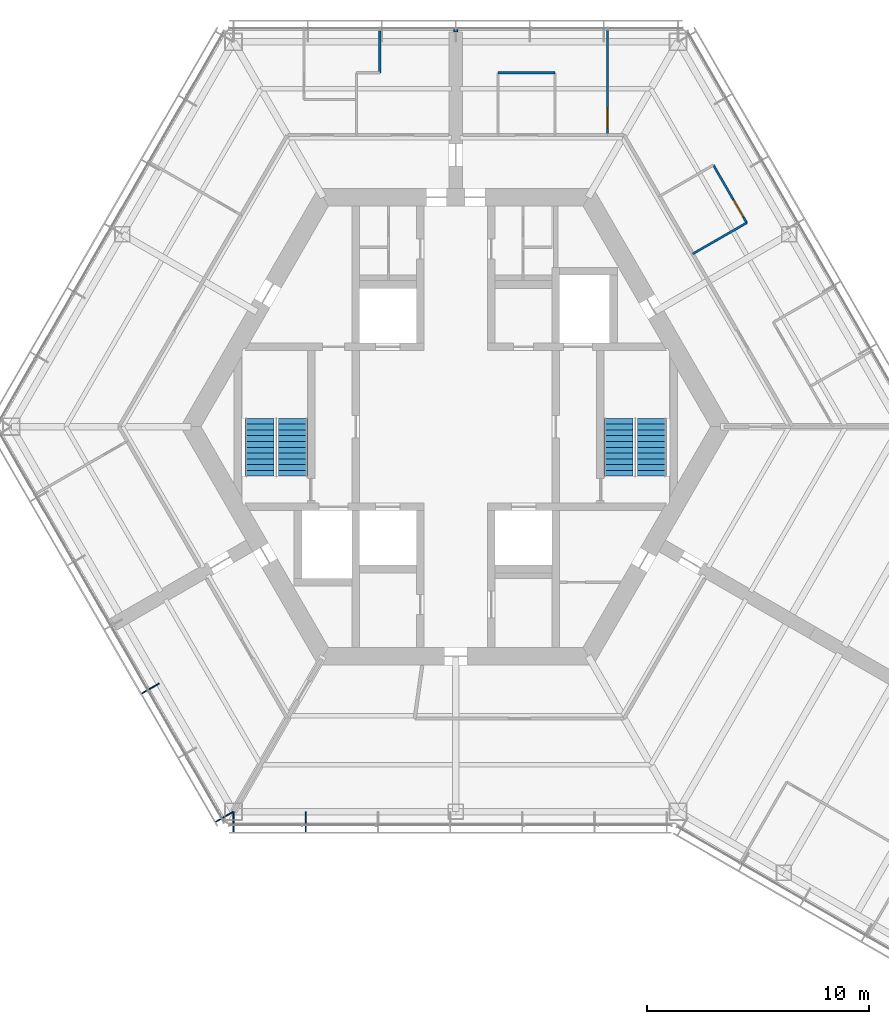
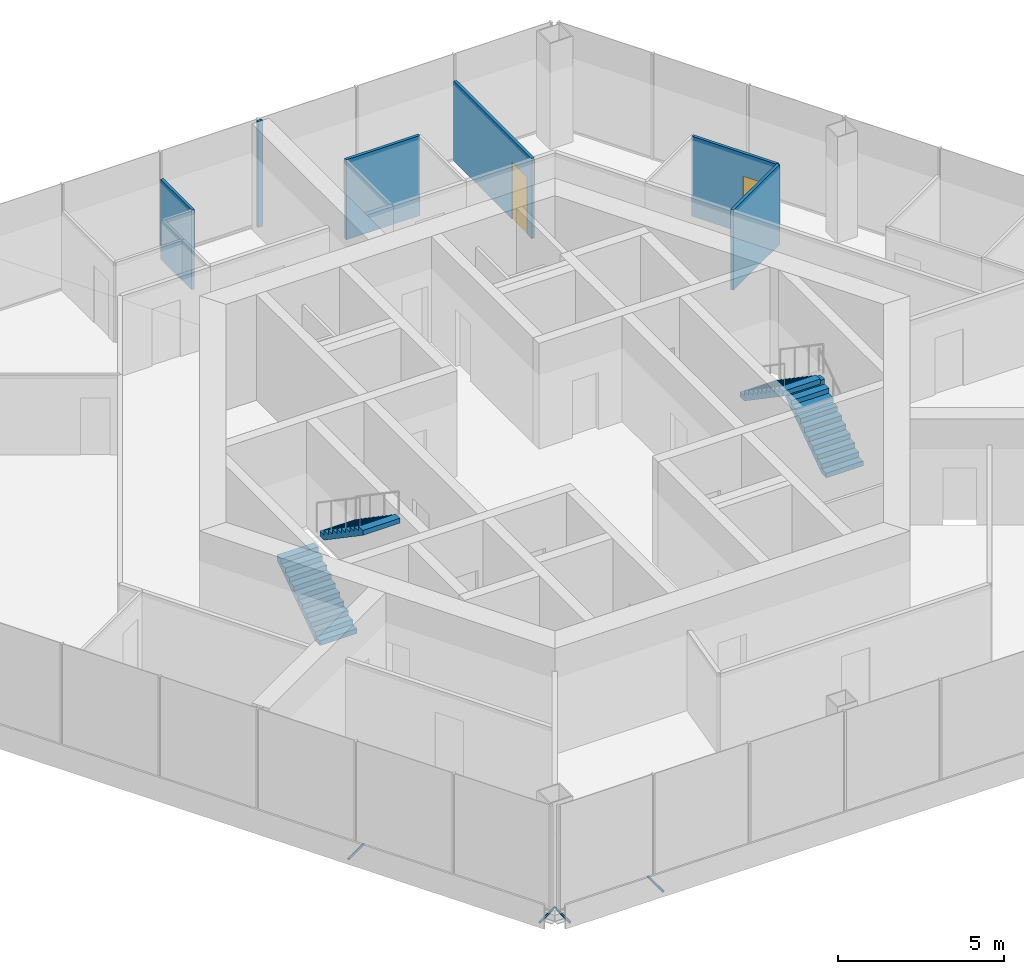
# One storey, part 13 of 15: 6 walls, 4 discrete accessories, 4 stair flights, 2 doors, 2 openings, 2 elements without a shape of their own.
"""IFC4 building model written with IfcOpenShell, lengths in metres."""

from ifc_helpers import new_model, si_unit, direction, frame, frame_2d, origin, origin_2d, place, context, subcontext, project, spatial, polyline, rectangle, hollow_circle, outline, extrude, material, layer, layer_set, material_profile, profile_set, type_object, element, fill, aggregate, save


model = new_model("IFC4")

# Units and contexts
model_context = context("Model", 3, precision=1e-05, world=origin(), true_north=direction((0.0, 1.0)))
body_context = subcontext(model_context, "Body", "Model", "MODEL_VIEW")
ifc_project = project(units=[si_unit("LENGTHUNIT", "METRE"), si_unit("AREAUNIT", "SQUARE_METRE"), si_unit("VOLUMEUNIT", "CUBIC_METRE"), si_unit("PLANEANGLEUNIT", "RADIAN"), si_unit("MASSUNIT", "GRAM", prefix="KILO")], contexts=[model_context])

# Site, building, storey
site_placement = place(None, origin())
site = spatial("IfcSite", under=ifc_project, at=site_placement, CompositionType="ELEMENT")
building_placement = place(site_placement, origin())
building = spatial("IfcBuilding", under=site, at=building_placement, Name="Kasaneha Research Tower", CompositionType="ELEMENT")
storey_placement = place(building_placement, frame((0.0, 0.0, 220.60009765625)))
storey = spatial("IfcBuildingStorey", under=building, at=storey_placement, Name="L55", CompositionType="ELEMENT", Elevation=220.60009765625)

# Wall
ifc_material_1 = material(Name="Gypsum board on steel studs, one layer each side", Category="steel")
ifc_layer_1 = layer(ifc_material_1, 0.10009765625)
ifc_layer_set_1 = layer_set([ifc_layer_1], Name="Office partition 100")
wall_type_1 = type_object("IfcWallType", Name="Office partition 100", PredefinedType="PARTITIONING", material=ifc_layer_set_1)
wall_1_placement = place(storey_placement, frame((1.89990234375, 15.925048828125, 0.0), z_axis=(0.0, 0.0, 1.0), x_axis=(1.0, 0.0, 0.0)))
element("IfcWall", 1, at=wall_1_placement, inside=storey, type_object=wall_type_1, Name="Office partition FAE08 L55", PredefinedType="PARTITIONING", context=body_context, shape_type="SweptSolid", body=[
    extrude(rectangle(XDim=2.565185546875, YDim=0.10009765625, at=frame_2d((1.28271484375, 0.0))), origin(), (0.0, 0.0, 1.0), 2.949951171875),
])

# Wall, opening, door
wall_2_placement = place(storey_placement, frame((11.591552734375, 11.77294921875, 0.0), z_axis=(0.0, 0.0, 1.0), x_axis=(0.499990139034, -0.866031096941, 0.0)))
wall_2 = element("IfcWall", 2, at=wall_2_placement, inside=storey, type_object=wall_type_1, Name="Office partition FAE12 L55", PredefinedType="PARTITIONING", context=body_context, shape_type="SweptSolid", body=[
    extrude(rectangle(XDim=3.0, YDim=0.10009765625, at=frame_2d((1.5, 0.0))), origin(), (0.0, 0.0, 1.0), 2.949951171875),
])
opening_1_placement = place(wall_2_placement, frame((1.800048828125, 0.0, 0.0)))
opening_1 = element("IfcOpeningElement", 3, at=opening_1_placement, cuts=wall_2, Name="Opening L55-D30", PredefinedType="OPENING", context=body_context, shape_type="SweptSolid", body=[
    extrude(rectangle(XDim=0.89990234375, YDim=2.10009765625, at=frame_2d((0.449951171875, 1.050048828125))), frame((0.0, 0.06005859375, 0.0), z_axis=(0.0, -1.0, 0.0), x_axis=(1.0, 0.0, 0.0)), (0.0, 0.0, 1.0), 0.1201171875),
])
ifc_material_2 = material(Name="Timber veneer", Category="wood")
door_type = type_object("IfcDoorType", Name="Office door 900x2100", OperationType="SINGLE_SWING_LEFT", PredefinedType="DOOR", material=ifc_material_2)
door_1_placement = place(opening_1_placement, origin())
door_1 = element("IfcDoor", 4, at=door_1_placement, inside=storey, type_object=door_type, Name="Pantry door L55-D30", OperationType="SINGLE_SWING_RIGHT", OverallHeight=2.10009765625, OverallWidth=0.89990234375, PredefinedType="DOOR", context=body_context, shape_type="SweptSolid", body=[
    extrude(rectangle(XDim=0.89990234375, YDim=2.10009765625, at=frame_2d((0.449951171875, 1.050048828125))), frame((0.0, 0.02490234375, 0.0), z_axis=(0.0, -1.0, 0.0), x_axis=(1.0, 0.0, 0.0)), (0.0, 0.0, 1.0), 0.050048828125),
])
fill(opening_1, door_1)

# Wall
wall_3_placement = place(storey_placement, frame((13.091552734375, 9.1748046875, 0.0), z_axis=(0.0, 0.0, 1.0), x_axis=(-0.866855433567, -0.498559582492, 0.0)))
element("IfcWall", 5, at=wall_3_placement, inside=storey, type_object=wall_type_1, Name="Office partition FAE13 L55", PredefinedType="PARTITIONING", context=body_context, shape_type="SweptSolid", body=[
    extrude(rectangle(XDim=2.800048828125, YDim=0.10009765625, at=frame_2d((1.39990234375, 0.0))), origin(), (0.0, 0.0, 1.0), 2.949951171875),
])

# Wall, opening, door
wall_4_placement = place(storey_placement, frame((6.8310546875, 17.85546875, 0.0), z_axis=(0.0, 0.0, 1.0), x_axis=(-0.000980594079, -0.999999519218, 0.0)))
wall_4 = element("IfcWall", 6, at=wall_4_placement, inside=storey, type_object=wall_type_1, Name="Office partition FAE14 L55", PredefinedType="PARTITIONING", context=body_context, shape_type="SweptSolid", body=[
    extrude(rectangle(XDim=4.73046875, YDim=0.10009765625, at=frame_2d((2.365234375, 0.0))), origin(), (0.0, 0.0, 1.0), 2.949951171875),
])
opening_2_placement = place(wall_4_placement, frame((3.530517578125, 0.0, 0.0)))
opening_2 = element("IfcOpeningElement", 7, at=opening_2_placement, cuts=wall_4, Name="Opening L55-D31", PredefinedType="OPENING", context=body_context, shape_type="SweptSolid", body=[
    extrude(rectangle(XDim=0.89990234375, YDim=2.10009765625, at=frame_2d((0.449951171875, 1.050048828125))), frame((0.0, 0.06005859375, 0.0), z_axis=(0.0, -1.0, 0.0), x_axis=(1.0, 0.0, 0.0)), (0.0, 0.0, 1.0), 0.1201171875),
])
door_2_placement = place(opening_2_placement, origin())
door_2 = element("IfcDoor", 8, at=door_2_placement, inside=storey, type_object=door_type, Name="Project room door L55-D31", OperationType="SINGLE_SWING_RIGHT", OverallHeight=2.10009765625, OverallWidth=0.89990234375, PredefinedType="DOOR", context=body_context, shape_type="SweptSolid", body=[
    extrude(rectangle(XDim=0.89990234375, YDim=2.10009765625, at=frame_2d((0.449951171875, 1.050048828125))), frame((0.0, 0.02490234375, 0.0), z_axis=(0.0, -1.0, 0.0), x_axis=(1.0, 0.0, 0.0)), (0.0, 0.0, 1.0), 0.050048828125),
])
fill(opening_2, door_2)

# Walls
wall_5_placement = place(storey_placement, frame((-3.4150390625, 15.925048828125, 0.0), z_axis=(0.0, 0.0, 1.0), x_axis=(-0.000130174433, 0.999999991527, 0.0)))
element("IfcWall", 9, at=wall_5_placement, inside=storey, type_object=wall_type_1, Name="Office partition FAW05 L55", PredefinedType="PARTITIONING", context=body_context, shape_type="SweptSolid", body=[
    extrude(rectangle(XDim=1.87548828125, YDim=0.10009765625, at=frame_2d((0.937744140625, 0.0))), origin(), (0.0, 0.0, 1.0), 2.949951171875),
])
ifc_material_3 = material(Name="Gypsum board on steel studs, two layers each side", Category="steel")
ifc_layer_2 = layer(ifc_material_3, 0.175048828125)
ifc_layer_set_2 = layer_set([ifc_layer_2], Name="Tenancy fire partition 175")
wall_type_2 = type_object("IfcWallType", Name="Tenancy fire partition 175", PredefinedType="PARTITIONING", material=ifc_layer_set_2)
wall_6_placement = place(storey_placement, frame((0.0, 17.7705078125, 0.0), z_axis=(0.0, 0.0, 1.0), x_axis=(0.0, 1.0, 0.0)))
element("IfcWall", 10, at=wall_6_placement, inside=storey, type_object=wall_type_2, Name="Spine wall closer SW4-600 L55", PredefinedType="PARTITIONING", context=body_context, shape_type="SweptSolid", body=[
    extrude(rectangle(XDim=0.0849609375, YDim=0.175048828125, at=frame_2d((0.04248046875, 0.0))), origin(), (0.0, 0.0, 1.0), 3.89990234375),
])

# Stair, stair flights
ifc_material_4 = material(Name="Concrete Fc24", Category="concrete")
stair_type = type_object("IfcStairType", Name="Half-turn stair 22 risers", PredefinedType="HALF_TURN_STAIR", material=ifc_material_4)
stair_1_placement = place(storey_placement, origin())
stair_1 = element("IfcStair", 11, at=stair_1_placement, inside=storey, type_object=stair_type, Name="Stair 1 L55", PredefinedType="HALF_TURN_STAIR")
ifc_material_5 = material(Name="Concrete Fc24", Category="concrete")
stair_flight_type = type_object("IfcStairFlightType", Name="Stair flight 11 risers 177.3", PredefinedType="STRAIGHT", material=ifc_material_5)
stair_flight_1_placement = place(storey_placement, frame((8.824951171875, -2.22509765625, 0.0), z_axis=(0.0, 0.0, 1.0), x_axis=(0.0, 1.0, 0.0)))
stair_flight_1 = element("IfcStairFlight", 12, at=stair_flight_1_placement, type_object=stair_flight_type, Name="ST1-22R flight 1", NumberOfRisers=11, NumberOfTreads=10, PredefinedType="STRAIGHT", RiserHeight=0.177272727, TreadLength=0.26, context=body_context, shape_type="SweptSolid", body=[
    extrude(outline(polyline([(0.0, 0.0), (0.0, 0.17724609375), (0.260009765625, 0.17724609375), (0.260009765625, 0.3544921875), (0.52001953125, 0.3544921875), (0.52001953125, 0.53173828125), (0.780029296875, 0.53173828125), (0.780029296875, 0.708984375), (1.0400390625, 0.708984375), (1.0400390625, 0.886474609375), (1.300048828125, 0.886474609375), (1.300048828125, 1.063720703125), (1.56005859375, 1.063720703125), (1.56005859375, 1.240966796875), (1.820068359375, 1.240966796875), (1.820068359375, 1.418212890625), (2.080078125, 1.418212890625), (2.080078125, 1.595458984375), (2.340087890625, 1.595458984375), (2.340087890625, 1.772705078125), (2.60009765625, 1.772705078125), (2.60009765625, 1.949951171875), (2.60009765625, 1.59130859375), (0.26611328125, 0.0), (0.0, 0.0)])), frame((0.0, 0.64990234375, 0.0), z_axis=(0.0, -1.0, 0.0), x_axis=(1.0, 0.0, 0.0)), (0.0, 0.0, 1.0), 1.300048828125),
])
stair_flight_2_placement = place(storey_placement, frame((7.324951171875, 0.375, 1.949951171875), z_axis=(0.0, 0.0, 1.0), x_axis=(0.0, -1.0, 0.0)))
stair_flight_2 = element("IfcStairFlight", 13, at=stair_flight_2_placement, type_object=stair_flight_type, Name="ST1-22R flight 2", NumberOfRisers=11, NumberOfTreads=10, PredefinedType="STRAIGHT", RiserHeight=0.177272727, TreadLength=0.26, context=body_context, shape_type="SweptSolid", body=[
    extrude(outline(polyline([(0.0, 0.0), (0.0, 0.17724609375), (0.260009765625, 0.17724609375), (0.260009765625, 0.3544921875), (0.52001953125, 0.3544921875), (0.52001953125, 0.53173828125), (0.780029296875, 0.53173828125), (0.780029296875, 0.708984375), (1.0400390625, 0.708984375), (1.0400390625, 0.886474609375), (1.300048828125, 0.886474609375), (1.300048828125, 1.063720703125), (1.56005859375, 1.063720703125), (1.56005859375, 1.240966796875), (1.820068359375, 1.240966796875), (1.820068359375, 1.418212890625), (2.080078125, 1.418212890625), (2.080078125, 1.595458984375), (2.340087890625, 1.595458984375), (2.340087890625, 1.772705078125), (2.60009765625, 1.772705078125), (2.60009765625, 1.949951171875), (2.60009765625, 1.59130859375), (0.26611328125, 0.0), (0.0, 0.0)])), frame((0.0, 0.64990234375, 0.0), z_axis=(0.0, -1.0, 0.0), x_axis=(1.0, 0.0, 0.0)), (0.0, 0.0, 1.0), 1.300048828125),
])
aggregate(stair_1, [stair_flight_1, stair_flight_2])

stair_2_placement = place(storey_placement, origin())
stair_2 = element("IfcStair", 14, at=stair_2_placement, inside=storey, type_object=stair_type, Name="Stair 2 L55", PredefinedType="HALF_TURN_STAIR")
stair_flight_3_placement = place(storey_placement, frame((-8.824951171875, -2.22509765625, 0.0), z_axis=(0.0, 0.0, 1.0), x_axis=(0.0, 1.0, 0.0)))
stair_flight_3 = element("IfcStairFlight", 15, at=stair_flight_3_placement, type_object=stair_flight_type, Name="ST2-22R flight 1", NumberOfRisers=11, NumberOfTreads=10, PredefinedType="STRAIGHT", RiserHeight=0.177272727, TreadLength=0.26, context=body_context, shape_type="SweptSolid", body=[
    extrude(outline(polyline([(0.0, 0.0), (0.0, 0.17724609375), (0.260009765625, 0.17724609375), (0.260009765625, 0.3544921875), (0.52001953125, 0.3544921875), (0.52001953125, 0.53173828125), (0.780029296875, 0.53173828125), (0.780029296875, 0.708984375), (1.0400390625, 0.708984375), (1.0400390625, 0.886474609375), (1.300048828125, 0.886474609375), (1.300048828125, 1.063720703125), (1.56005859375, 1.063720703125), (1.56005859375, 1.240966796875), (1.820068359375, 1.240966796875), (1.820068359375, 1.418212890625), (2.080078125, 1.418212890625), (2.080078125, 1.595458984375), (2.340087890625, 1.595458984375), (2.340087890625, 1.772705078125), (2.60009765625, 1.772705078125), (2.60009765625, 1.949951171875), (2.60009765625, 1.59130859375), (0.26611328125, 0.0), (0.0, 0.0)])), frame((0.0, 0.64990234375, 0.0), z_axis=(0.0, -1.0, 0.0), x_axis=(1.0, 0.0, 0.0)), (0.0, 0.0, 1.0), 1.300048828125),
])
stair_flight_4_placement = place(storey_placement, frame((-7.324951171875, 0.375, 1.949951171875), z_axis=(0.0, 0.0, 1.0), x_axis=(0.0, -1.0, 0.0)))
stair_flight_4 = element("IfcStairFlight", 16, at=stair_flight_4_placement, type_object=stair_flight_type, Name="ST2-22R flight 2", NumberOfRisers=11, NumberOfTreads=10, PredefinedType="STRAIGHT", RiserHeight=0.177272727, TreadLength=0.26, context=body_context, shape_type="SweptSolid", body=[
    extrude(outline(polyline([(0.0, 0.0), (0.0, 0.17724609375), (0.260009765625, 0.17724609375), (0.260009765625, 0.3544921875), (0.52001953125, 0.3544921875), (0.52001953125, 0.53173828125), (0.780029296875, 0.53173828125), (0.780029296875, 0.708984375), (1.0400390625, 0.708984375), (1.0400390625, 0.886474609375), (1.300048828125, 0.886474609375), (1.300048828125, 1.063720703125), (1.56005859375, 1.063720703125), (1.56005859375, 1.240966796875), (1.820068359375, 1.240966796875), (1.820068359375, 1.418212890625), (2.080078125, 1.418212890625), (2.080078125, 1.595458984375), (2.340087890625, 1.595458984375), (2.340087890625, 1.772705078125), (2.60009765625, 1.772705078125), (2.60009765625, 1.949951171875), (2.60009765625, 1.59130859375), (0.26611328125, 0.0), (0.0, 0.0)])), frame((0.0, 0.64990234375, 0.0), z_axis=(0.0, -1.0, 0.0), x_axis=(1.0, 0.0, 0.0)), (0.0, 0.0, 1.0), 1.300048828125),
])
aggregate(stair_2, [stair_flight_3, stair_flight_4])

# Discrete accessories
ifc_material_6 = material(Name="Steel STK400", Category="steel")
ifc_material_profile = material_profile(ifc_material_6, hollow_circle(Radius=0.0380859375, WallThickness=0.00390625, at=origin_2d()), Name="CHS-76.3x4.0")
ifc_profile_set = profile_set([ifc_material_profile], Name="Steel STK400")
discrete_accessory_type = type_object("IfcDiscreteAccessoryType", Name="Screen bracket CHS-76.3x4.0", PredefinedType="BRACKET", material=ifc_profile_set)
discrete_accessory_1_placement = place(storey_placement, frame((-13.333984375, -11.5458984375, -0.300048828125), z_axis=(-0.866013213425, -0.500021113727, 0.0), x_axis=(0.500021113727, -0.866013213425, 0.0)))
element("IfcDiscreteAccessory", 17, at=discrete_accessory_1_placement, inside=storey, type_object=discrete_accessory_type, Name="Screen bracket 5", PredefinedType="BRACKET", context=body_context, shape_type="SweptSolid", body=[
    extrude(hollow_circle(Radius=0.0380859375, WallThickness=0.00390625, at=origin_2d()), origin(), (0.0, 0.0, 1.0), 0.919921875),
])
discrete_accessory_2_placement = place(storey_placement, frame((-10.001708984375, -17.3173828125, -0.300048828125), z_axis=(-0.866079547155, -0.499906209203, 0.0), x_axis=(0.499906209203, -0.866079547155, 0.0)))
element("IfcDiscreteAccessory", 18, at=discrete_accessory_2_placement, inside=storey, type_object=discrete_accessory_type, Name="Screen bracket 7", PredefinedType="BRACKET", context=body_context, shape_type="SweptSolid", body=[
    extrude(hollow_circle(Radius=0.0380859375, WallThickness=0.00390625, at=origin_2d()), origin(), (0.0, 0.0, 1.0), 0.920166015625),
])
for number, where, z_axis, x_axis, name in (
    (19, (-9.996337890625, -17.320556640625, -0.300048828125), (0.0, -1.0, 0.0), (1.0, 0.0, 0.0), "Screen bracket 1"),
    (20, (-6.748779296875, -17.320556640625, -0.300048828125), (0.0, -1.0, 0.0), (1.0, 0.0, 0.0), "Screen bracket 2"),
):
    element("IfcDiscreteAccessory", number, at=place(storey_placement, frame(where, z_axis=z_axis, x_axis=x_axis)), inside=storey, type_object=discrete_accessory_type, Name=name, PredefinedType="BRACKET", context=body_context, shape_type="SweptSolid", body=[
        extrude(hollow_circle(Radius=0.0380859375, WallThickness=0.00390625, at=origin_2d()), origin(), (0.0, 0.0, 1.0), 0.919921875),
    ])

save(model, "model.ifc")
